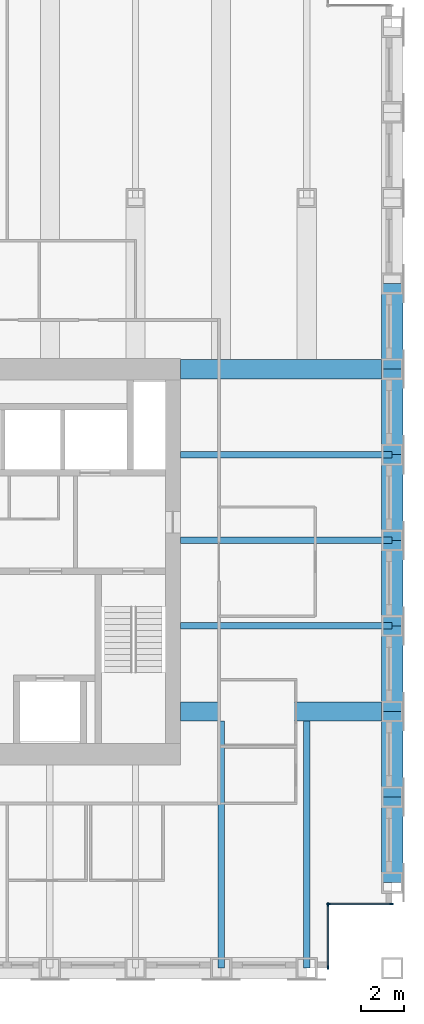
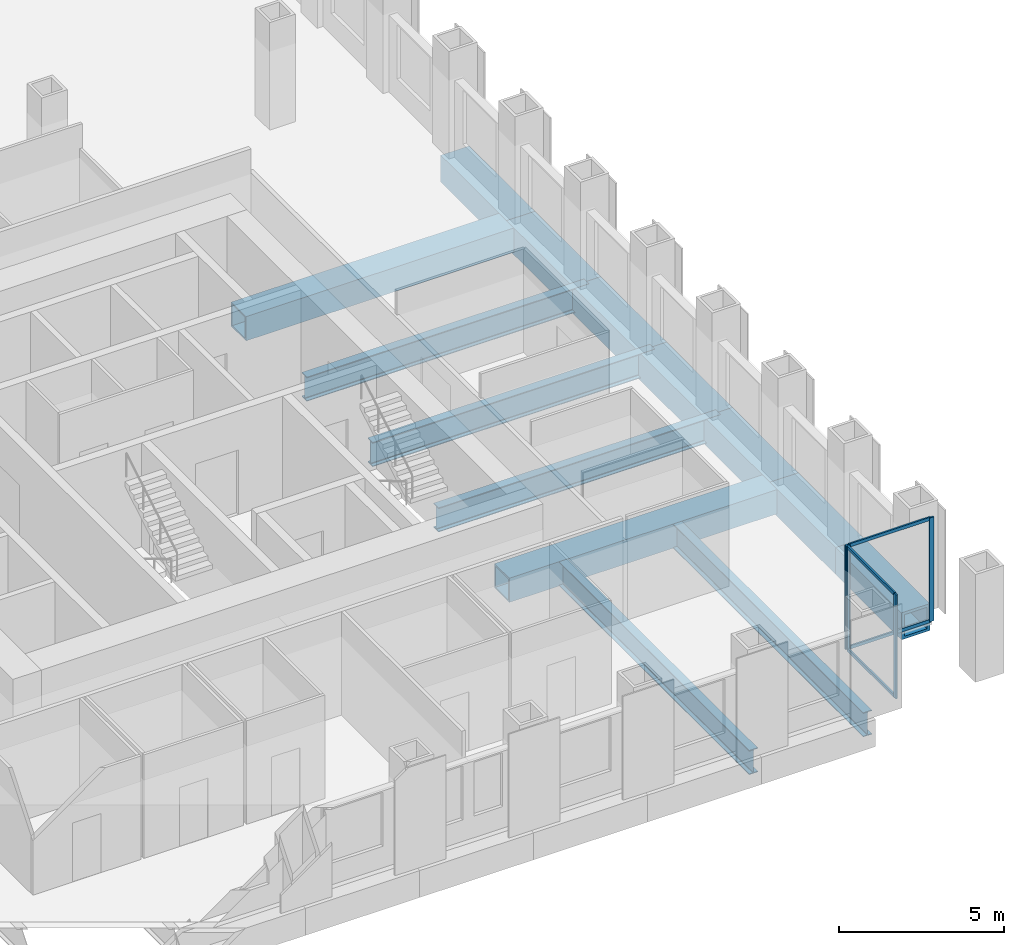
# One storey, part 4 of 14: 14 beams, 8 members, 2 elements without a shape of their own.
"""IFC4 building model written with IfcOpenShell, lengths in metres."""

from ifc_helpers import new_model, si_unit, direction, frame, origin, origin_2d, place, context, subcontext, project, spatial, rectangle, hollow_rectangle, i_section, extrude, material, material_profile, profile_set, type_object, element, aggregate, save


model = new_model("IFC4")

# Units and contexts
model_context = context("Model", 3, precision=1e-05, world=origin(), true_north=direction((0.0, 1.0)))
body_context = subcontext(model_context, "Body", "Model", "MODEL_VIEW")
ifc_project = project(units=[si_unit("LENGTHUNIT", "METRE"), si_unit("AREAUNIT", "SQUARE_METRE"), si_unit("VOLUMEUNIT", "CUBIC_METRE"), si_unit("PLANEANGLEUNIT", "RADIAN"), si_unit("MASSUNIT", "GRAM", prefix="KILO")], contexts=[model_context])

# Site, building, storey
site_placement = place(None, origin())
site = spatial("IfcSite", under=ifc_project, at=site_placement, CompositionType="ELEMENT")
building_placement = place(site_placement, origin())
building = spatial("IfcBuilding", under=site, at=building_placement, Name="Rimbunsela Tower", CompositionType="ELEMENT")
storey_placement = place(building_placement, frame((0.0, 0.0, 183.800048828125)))
storey = spatial("IfcBuildingStorey", under=building, at=storey_placement, Name="L44", CompositionType="ELEMENT", Elevation=183.800048828125)

# Beams
ifc_material_1 = material(Name="Steel BJ 55 (fy 410 MPa)", Category="steel")
ifc_material_profile_1 = material_profile(ifc_material_1, hollow_rectangle(XDim=1.0, YDim=1.0, WallThickness=0.10009765625, at=origin_2d()), Name="BOX 1000x1000x100")
ifc_profile_set_1 = profile_set([ifc_material_profile_1], Name="Steel BJ 55 (fy 410 MPa)")
beam_type_1 = type_object("IfcBeamType", Name="Beam BOX 1000x1000x100", PredefinedType="BEAM", material=ifc_profile_set_1)
for number, where, z_axis, x_axis, name in (
    (1, (46.0, 12.0, -0.650146484375), (0.0, 1.0, 0.0), (-1.0, 0.0, 0.0), "Beam B3 L44"),
    (2, (46.0, 16.0, -0.650146484375), (0.0, 1.0, 0.0), (-1.0, 0.0, 0.0), "Beam B3 L44"),
    (3, (46.0, 20.0, -0.650146484375), (0.0, 1.0, 0.0), (-1.0, 0.0, 0.0), "Beam B3 L44"),
    (4, (46.0, 24.0, -0.650146484375), (0.0, 1.0, 0.0), (-1.0, 0.0, 0.0), "Beam B3 L44"),
    (5, (46.0, 28.0, -0.650146484375), (0.0, 1.0, 0.0), (-1.0, 0.0, 0.0), "Beam B3 L44"),
    (6, (46.0, 32.0, -0.650146484375), (0.0, 1.0, 0.0), (-1.0, 0.0, 0.0), "Beam B3 L44"),
    (7, (46.0, 36.0, -0.650146484375), (0.0, 1.0, 0.0), (-1.0, 0.0, 0.0), "Beam B3 L44"),
):
    element("IfcBeam", number, at=place(storey_placement, frame(where, z_axis=z_axis, x_axis=x_axis)), inside=storey, type_object=beam_type_1, Name=name, PredefinedType="BEAM", context=body_context, shape_type="SweptSolid", body=[
        extrude(hollow_rectangle(XDim=1.0, YDim=1.0, WallThickness=0.10009765625, at=origin_2d()), origin(), (0.0, 0.0, 1.0), 4.0),
    ])
ifc_material_2 = material(Name="Steel BJ 55 (fy 410 MPa)", Category="steel")
ifc_material_profile_2 = material_profile(ifc_material_2, hollow_rectangle(XDim=0.89990234375, YDim=0.89990234375, WallThickness=0.06005859375, at=origin_2d()), Name="BOX 900x900x60")
ifc_profile_set_2 = profile_set([ifc_material_profile_2], Name="Steel BJ 55 (fy 410 MPa)")
beam_type_2 = type_object("IfcBeamType", Name="Beam BOX 900x900x60", PredefinedType="BEAM", material=ifc_profile_set_2)
for number, where, z_axis, x_axis, name in (
    (8, (36.10009765625, 20.0, -0.60009765625), (1.0, 0.0, 0.0), (0.0, 1.0, 0.0), "Beam B1 L44"),
    (9, (36.10009765625, 36.0, -0.60009765625), (1.0, 0.0, 0.0), (0.0, 1.0, 0.0), "Beam B1 L44"),
):
    element("IfcBeam", number, at=place(storey_placement, frame(where, z_axis=z_axis, x_axis=x_axis)), inside=storey, type_object=beam_type_2, Name=name, PredefinedType="BEAM", context=body_context, shape_type="SweptSolid", body=[
        extrude(hollow_rectangle(XDim=0.89990234375, YDim=0.89990234375, WallThickness=0.06005859375, at=origin_2d()), origin(), (0.0, 0.0, 1.0), 9.89990234375),
    ])
ifc_material_3 = material(Name="Steel BJ 55 (fy 410 MPa)", Category="steel")
ifc_material_profile_3 = material_profile(ifc_material_3, i_section(OverallWidth=0.300048828125, OverallDepth=0.89990234375, WebThickness=0.01611328125, FlangeThickness=0.028076171875, FilletRadius=0.028076171875, at=origin_2d()), Name="H 900x300x16x28")
ifc_profile_set_3 = profile_set([ifc_material_profile_3], Name="Steel BJ 55 (fy 410 MPa)")
beam_type_3 = type_object("IfcBeamType", Name="Beam H 900x300x16x28", PredefinedType="BEAM", material=ifc_profile_set_3)
for number, where, z_axis, x_axis, name in (
    (10, (36.10009765625, 24.0, -0.60009765625), (1.0, 0.0, 0.0), (0.0, 1.0, 0.0), "Beam B2 L44"),
    (11, (36.10009765625, 28.0, -0.60009765625), (1.0, 0.0, 0.0), (0.0, 1.0, 0.0), "Beam B2 L44"),
    (12, (36.10009765625, 32.0, -0.60009765625), (1.0, 0.0, 0.0), (0.0, 1.0, 0.0), "Beam B2 L44"),
):
    element("IfcBeam", number, at=place(storey_placement, frame(where, z_axis=z_axis, x_axis=x_axis)), inside=storey, type_object=beam_type_3, Name=name, PredefinedType="BEAM", context=body_context, shape_type="SweptSolid", body=[
        extrude(i_section(OverallWidth=0.300048828125, OverallDepth=0.89990234375, WebThickness=0.01611328125, FlangeThickness=0.028076171875, FilletRadius=0.028076171875, at=origin_2d()), origin(), (0.0, 0.0, 1.0), 9.89990234375),
    ])
for number, where, z_axis, x_axis, name in (
    (13, (38.0, 8.0, -0.60009765625), (0.0, 1.0, 0.0), (-1.0, 0.0, 0.0), "Beam B2 L44"),
    (14, (42.0, 8.0, -0.60009765625), (0.0, 1.0, 0.0), (-1.0, 0.0, 0.0), "Beam B2 L44"),
):
    element("IfcBeam", number, at=place(storey_placement, frame(where, z_axis=z_axis, x_axis=x_axis)), inside=storey, type_object=beam_type_3, Name=name, PredefinedType="BEAM", context=body_context, shape_type="SweptSolid", body=[
        extrude(i_section(OverallWidth=0.300048828125, OverallDepth=0.89990234375, WebThickness=0.01611328125, FlangeThickness=0.028076171875, FilletRadius=0.028076171875, at=origin_2d()), origin(), (0.0, 0.0, 1.0), 11.550048828125),
    ])

# Curtain wall, members
ifc_material_4 = material(Name="Aluminium curtain wall", Category="aluminium")
curtain_wall_type = type_object("IfcCurtainWallType", Name="Corner glazing", PredefinedType="USERDEFINED", material=ifc_material_4)
curtain_wall_1_placement = place(storey_placement, origin())
curtain_wall_1 = element("IfcCurtainWall", 15, at=curtain_wall_1_placement, inside=storey, type_object=curtain_wall_type, Name="Corner glazing L44", ObjectType="CORNER GLAZING", PredefinedType="USERDEFINED")
ifc_material_5 = material(Name="Aluminium mullion", Category="aluminium")
ifc_material_profile_4 = material_profile(ifc_material_5, rectangle(XDim=0.06005859375, YDim=0.159912109375, at=origin_2d()), Name="Mullion 60x160")
ifc_profile_set_4 = profile_set([ifc_material_profile_4], Name="Aluminium mullion")
member_type_1 = type_object("IfcMemberType", Name="Curtain wall mullion 60x160", PredefinedType="MULLION", material=ifc_profile_set_4)
member_1_placement = place(storey_placement, frame((43.0, 8.030029296875, 0.0), z_axis=(0.0, 0.0, 1.0), x_axis=(-1.0, 0.0, 0.0)))
member_1 = element("IfcMember", 16, at=member_1_placement, type_object=member_type_1, Name="CW5 mullion 1", PredefinedType="MULLION", context=body_context, shape_type="SweptSolid", body=[
    extrude(rectangle(XDim=0.06005859375, YDim=0.159912109375, at=origin_2d()), origin(), (0.0, 0.0, 1.0), 3.849853515625),
])
member_2_placement = place(storey_placement, frame((43.0, 10.969970703125, 0.0), z_axis=(0.0, 0.0, 1.0), x_axis=(-1.0, 0.0, 0.0)))
member_2 = element("IfcMember", 17, at=member_2_placement, type_object=member_type_1, Name="CW5 mullion 2", PredefinedType="MULLION", context=body_context, shape_type="SweptSolid", body=[
    extrude(rectangle(XDim=0.06005859375, YDim=0.159912109375, at=origin_2d()), origin(), (0.0, 0.0, 1.0), 3.849853515625),
])

curtain_wall_2_placement = place(storey_placement, origin())
curtain_wall_2 = element("IfcCurtainWall", 18, at=curtain_wall_2_placement, inside=storey, type_object=curtain_wall_type, Name="Corner glazing L44", ObjectType="CORNER GLAZING", PredefinedType="USERDEFINED")
member_3_placement = place(storey_placement, frame((43.030029296875, 11.0, 0.0), z_axis=(0.0, 0.0, 1.0), x_axis=(0.0, 1.0, 0.0)))
member_3 = element("IfcMember", 19, at=member_3_placement, type_object=member_type_1, Name="CW5 mullion 1", PredefinedType="MULLION", context=body_context, shape_type="SweptSolid", body=[
    extrude(rectangle(XDim=0.06005859375, YDim=0.159912109375, at=origin_2d()), origin(), (0.0, 0.0, 1.0), 3.849853515625),
])
member_4_placement = place(storey_placement, frame((45.969970703125, 11.0, 0.0), z_axis=(0.0, 0.0, 1.0), x_axis=(0.0, 1.0, 0.0)))
member_4 = element("IfcMember", 20, at=member_4_placement, type_object=member_type_1, Name="CW5 mullion 2", PredefinedType="MULLION", context=body_context, shape_type="SweptSolid", body=[
    extrude(rectangle(XDim=0.06005859375, YDim=0.159912109375, at=origin_2d()), origin(), (0.0, 0.0, 1.0), 3.849853515625),
])

# Member
ifc_material_6 = material(Name="Aluminium transom", Category="aluminium")
ifc_material_profile_5 = material_profile(ifc_material_6, rectangle(XDim=0.06005859375, YDim=0.1201171875, at=origin_2d()), Name="Transom 60x120")
ifc_profile_set_5 = profile_set([ifc_material_profile_5], Name="Aluminium transom")
member_type_2 = type_object("IfcMemberType", Name="Curtain wall transom 60x120", PredefinedType="USERDEFINED", material=ifc_profile_set_5)
member_5_placement = place(storey_placement, frame((43.0, 8.06005859375, 0.030029296875), z_axis=(0.0, 1.0, 0.0), x_axis=(-1.0, 0.0, 0.0)))
member_5 = element("IfcMember", 21, at=member_5_placement, type_object=member_type_2, Name="CW5 transom 1.1", ObjectType="TRANSOM", PredefinedType="USERDEFINED", context=body_context, shape_type="SweptSolid", body=[
    extrude(rectangle(XDim=0.06005859375, YDim=0.1201171875, at=origin_2d()), origin(), (0.0, 0.0, 1.0), 2.8798828125),
])

member_6_placement = place(storey_placement, frame((43.0, 8.06005859375, 3.820068359375), z_axis=(0.0, 1.0, 0.0), x_axis=(-1.0, 0.0, 0.0)))
member_6 = element("IfcMember", 22, at=member_6_placement, type_object=member_type_2, Name="CW5 transom 1.2", ObjectType="TRANSOM", PredefinedType="USERDEFINED", context=body_context, shape_type="SweptSolid", body=[
    extrude(rectangle(XDim=0.06005859375, YDim=0.1201171875, at=origin_2d()), origin(), (0.0, 0.0, 1.0), 2.8798828125),
])

aggregate(curtain_wall_1, [member_1, member_2, member_5, member_6])

member_7_placement = place(storey_placement, frame((43.06005859375, 11.0, 0.030029296875), z_axis=(1.0, 0.0, 0.0), x_axis=(0.0, 1.0, 0.0)))
member_7 = element("IfcMember", 23, at=member_7_placement, type_object=member_type_2, Name="CW5 transom 1.1", ObjectType="TRANSOM", PredefinedType="USERDEFINED", context=body_context, shape_type="SweptSolid", body=[
    extrude(rectangle(XDim=0.06005859375, YDim=0.1201171875, at=origin_2d()), origin(), (0.0, 0.0, 1.0), 2.8798828125),
])

member_8_placement = place(storey_placement, frame((43.06005859375, 11.0, 3.820068359375), z_axis=(1.0, 0.0, 0.0), x_axis=(0.0, 1.0, 0.0)))
member_8 = element("IfcMember", 24, at=member_8_placement, type_object=member_type_2, Name="CW5 transom 1.2", ObjectType="TRANSOM", PredefinedType="USERDEFINED", context=body_context, shape_type="SweptSolid", body=[
    extrude(rectangle(XDim=0.06005859375, YDim=0.1201171875, at=origin_2d()), origin(), (0.0, 0.0, 1.0), 2.8798828125),
])

aggregate(curtain_wall_2, [member_3, member_4, member_7, member_8])

save(model, "model.ifc")
